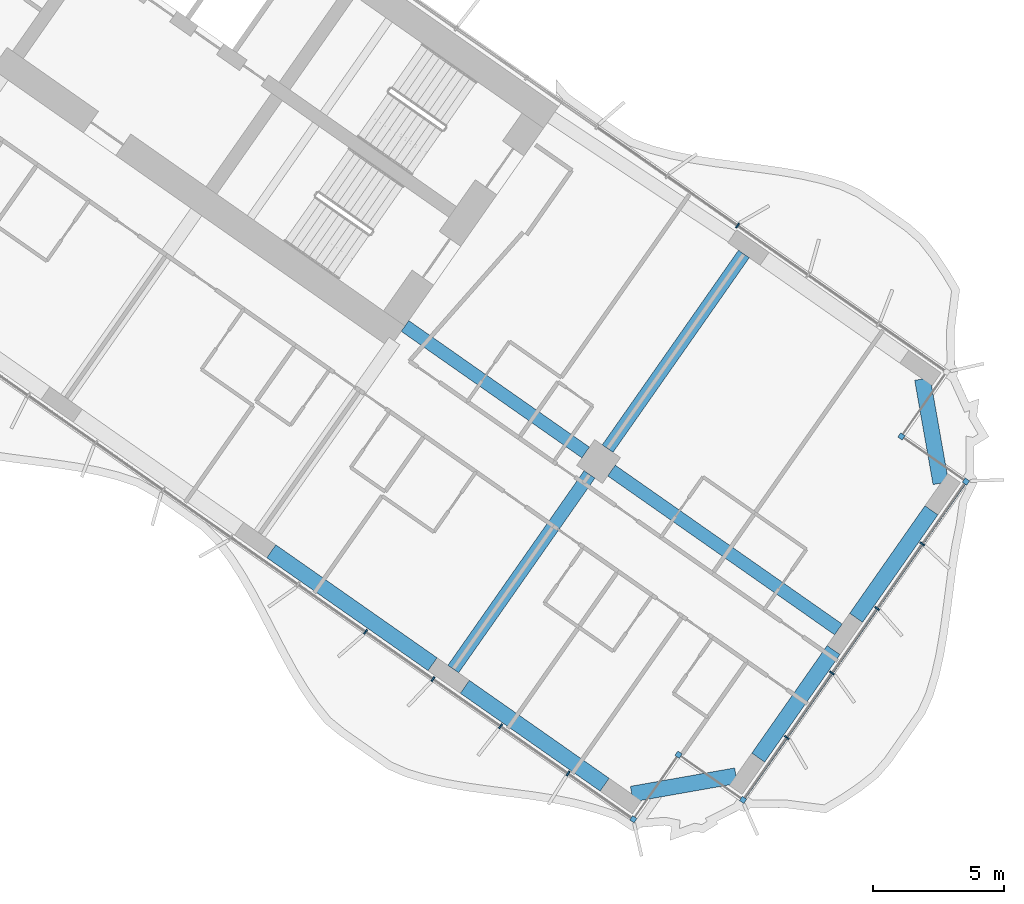
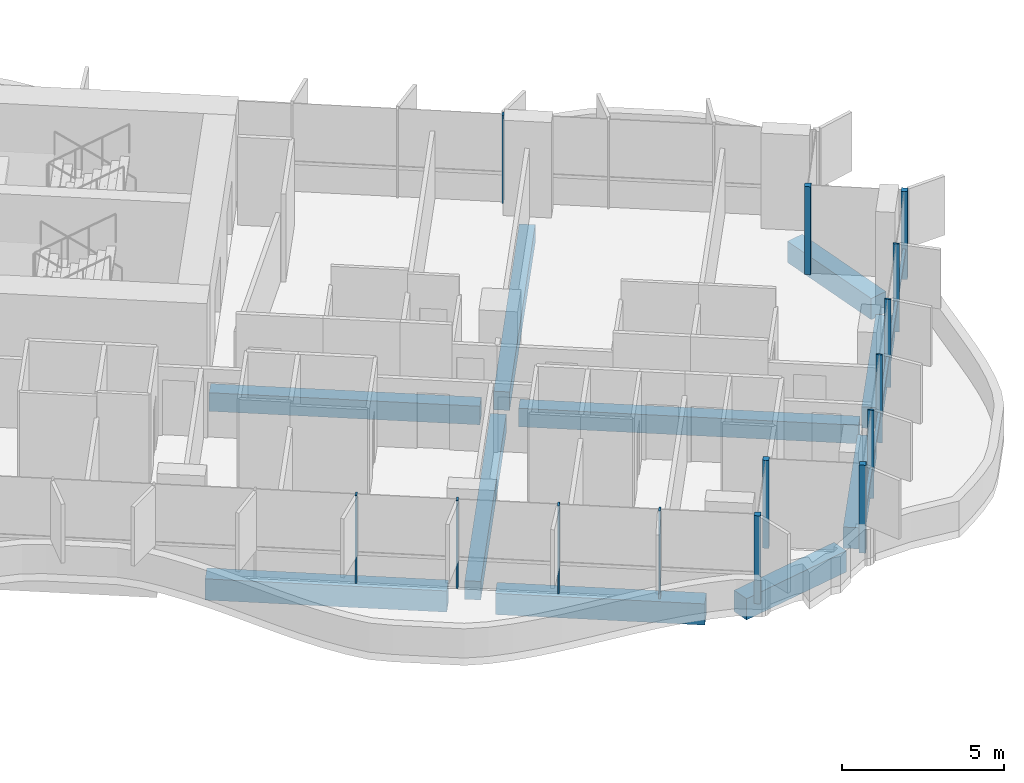
# One storey, part 9 of 25: 15 members, 10 beams, 1 element without a shape of its own.
"""IFC4 building model written with IfcOpenShell, lengths in metres."""

from ifc_helpers import new_model, si_unit, direction, frame, origin, origin_2d, place, context, subcontext, project, spatial, rectangle, extrude, material, material_profile, profile_set, type_object, element, aggregate, save


model = new_model("IFC4")

# Units and contexts
model_context = context("Model", 3, precision=1e-05, world=origin(), true_north=direction((0.0, 1.0)))
body_context = subcontext(model_context, "Body", "Model", "MODEL_VIEW")
ifc_project = project(units=[si_unit("LENGTHUNIT", "METRE"), si_unit("AREAUNIT", "SQUARE_METRE"), si_unit("VOLUMEUNIT", "CUBIC_METRE"), si_unit("PLANEANGLEUNIT", "RADIAN"), si_unit("MASSUNIT", "GRAM", prefix="KILO")], contexts=[model_context])

# Site, building, storey
site_placement = place(None, origin())
site = spatial("IfcSite", under=ifc_project, at=site_placement, CompositionType="ELEMENT")
building_placement = place(site_placement, origin())
building = spatial("IfcBuilding", under=site, at=building_placement, Name="Tel Ilan Convention Tower", CompositionType="ELEMENT")
storey_placement = place(building_placement, frame((0.0, 0.0, 58.10009765625)))
storey = spatial("IfcBuildingStorey", under=building, at=storey_placement, Name="L09", CompositionType="ELEMENT", Elevation=58.10009765625)

# Beams
ifc_material_1 = material(Name="Concrete C40/50", Category="concrete")
ifc_material_profile_1 = material_profile(ifc_material_1, rectangle(XDim=0.5, YDim=0.699951171875, at=origin_2d()), Name="RC 500x700")
ifc_profile_set_1 = profile_set([ifc_material_profile_1], Name="Concrete C40/50")
beam_type_1 = type_object("IfcBeamType", Name="Beam RC 500x700 Concrete C40/50", PredefinedType="BEAM", material=ifc_profile_set_1)
beam_1_placement = place(storey_placement, frame((22.1171875, -15.486572265625, -0.630126953125), z_axis=(0.819147254605, -0.573583276668, 0.0), x_axis=(0.573583276668, 0.819147254605, 0.0)))
element("IfcBeam", 1, at=beam_1_placement, inside=storey, type_object=beam_type_1, Name="L09 beam E-core-E-M4", PredefinedType="BEAM", context=body_context, shape_type="SweptSolid", body=[
    extrude(rectangle(XDim=0.5, YDim=0.699951171875, at=origin_2d()), origin(), (0.0, 0.0, 1.0), 8.400146484375),
])
beam_2_placement = place(storey_placement, frame((29.98095703125, -20.992919921875, -0.630126953125), z_axis=(0.819151461915, -0.573577268067, 0.0), x_axis=(0.573577268067, 0.819151461915, 0.0)))
element("IfcBeam", 2, at=beam_2_placement, inside=storey, type_object=beam_type_1, Name="L09 beam E-E-M4-end", PredefinedType="BEAM", context=body_context, shape_type="SweptSolid", body=[
    extrude(rectangle(XDim=0.5, YDim=0.699951171875, at=origin_2d()), origin(), (0.0, 0.0, 1.0), 10.550048828125),
])
for number, where, z_axis, x_axis, name in (
    (3, (29.145263671875, -21.14013671875, -0.630126953125), (-0.573549245583, -0.819171082798, 0.0), (0.819171082798, -0.573549245583, 0.0), "L09 beam E-E-M4-E-F4"),
    (4, (29.83349609375, -20.1572265625, -0.630126953125), (0.57358002233, 0.819149533348, 0.0), (-0.819149533348, 0.57358002233, 0.0), "L09 beam E-E-M4-E-B4"),
):
    element("IfcBeam", number, at=place(storey_placement, frame(where, z_axis=z_axis, x_axis=x_axis)), inside=storey, type_object=beam_type_1, Name=name, PredefinedType="BEAM", context=body_context, shape_type="SweptSolid", body=[
        extrude(rectangle(XDim=0.5, YDim=0.699951171875, at=origin_2d()), origin(), (0.0, 0.0, 1.0), 9.050048828125),
    ])
ifc_material_2 = material(Name="Concrete C40/50", Category="concrete")
ifc_material_profile_2 = material_profile(ifc_material_2, rectangle(XDim=0.60009765625, YDim=0.800048828125, at=origin_2d()), Name="RC 600x800")
ifc_profile_set_2 = profile_set([ifc_material_profile_2], Name="Concrete C40/50")
beam_type_2 = type_object("IfcBeamType", Name="Beam RC 600x800 Concrete C40/50", PredefinedType="BEAM", material=ifc_profile_set_2)
beam_3_placement = place(storey_placement, frame((17.0244140625, -24.0673828125, -0.68017578125), z_axis=(0.81915238829, -0.573575945067, 0.0), x_axis=(0.573575945067, 0.81915238829, 0.0)))
element("IfcBeam", 5, at=beam_3_placement, inside=storey, type_object=beam_type_2, Name="L09 beam E-E-F3-E-F4", PredefinedType="BEAM", context=body_context, shape_type="SweptSolid", body=[
    extrude(rectangle(XDim=0.60009765625, YDim=0.800048828125, at=origin_2d()), origin(), (0.0, 0.0, 1.0), 7.5),
])
beam_4_placement = place(storey_placement, frame((24.396728515625, -29.2294921875, -0.68017578125), z_axis=(0.819148977158, -0.573580816643, 0.0), x_axis=(0.573580816643, 0.819148977158, 0.0)))
element("IfcBeam", 6, at=beam_4_placement, inside=storey, type_object=beam_type_2, Name="L09 beam E-E-F4-E-FC", PredefinedType="BEAM", context=body_context, shape_type="SweptSolid", body=[
    extrude(rectangle(XDim=0.60009765625, YDim=0.800048828125, at=origin_2d()), origin(), (0.0, 0.0, 1.0), 6.5),
])
beam_5_placement = place(storey_placement, frame((30.75341796875, -33.314208984375, -0.68017578125), z_axis=(0.984815252405, 0.173605641124, 0.0), x_axis=(-0.173605641124, 0.984815252405, 0.0)))
element("IfcBeam", 7, at=beam_5_placement, inside=storey, type_object=beam_type_2, Name="L09 beam E-E-FC-E-E1", PredefinedType="BEAM", context=body_context, shape_type="SweptSolid", body=[
    extrude(rectangle(XDim=0.60009765625, YDim=0.800048828125, at=origin_2d()), origin(), (0.0, 0.0, 1.0), 4.030517578125),
])
for number, where, z_axis, x_axis, name in (
    (8, (35.57080078125, -31.92626953125, -0.68017578125), (0.573586866468, 0.819144740944, 0.0), (-0.819144740944, 0.573586866468, 0.0), "L09 beam E-E-E1-E-E2"),
    (9, (39.298828125, -26.601806640625, -0.68017578125), (0.573586866468, 0.819144740944, 0.0), (-0.819144740944, 0.573586866468, 0.0), "L09 beam E-E-E2-E-E3"),
):
    element("IfcBeam", number, at=place(storey_placement, frame(where, z_axis=z_axis, x_axis=x_axis)), inside=storey, type_object=beam_type_2, Name=name, PredefinedType="BEAM", context=body_context, shape_type="SweptSolid", body=[
        extrude(rectangle(XDim=0.60009765625, YDim=0.800048828125, at=origin_2d()), origin(), (0.0, 0.0, 1.0), 5.0),
    ])
beam_6_placement = place(storey_placement, frame((42.523193359375, -21.473876953125, -0.68017578125), z_axis=(-0.173605641124, 0.984815252405, 0.0), x_axis=(-0.984815252405, -0.173605641124, 0.0)))
element("IfcBeam", 10, at=beam_6_placement, inside=storey, type_object=beam_type_2, Name="L09 beam E-E-E3-E-BC", PredefinedType="BEAM", context=body_context, shape_type="SweptSolid", body=[
    extrude(rectangle(XDim=0.60009765625, YDim=0.800048828125, at=origin_2d()), origin(), (0.0, 0.0, 1.0), 4.030517578125),
])

# Curtain wall, members
ifc_material_3 = material(Name="Aluminium, bronze anodised", Category="aluminium")
curtain_wall_type = type_object("IfcCurtainWallType", Name="CW1 UNITISED CURTAIN WALL, HOTEL TINTED GLASS", PredefinedType="NOTDEFINED", material=ifc_material_3)
curtain_wall_placement = place(storey_placement, origin())
curtain_wall = element("IfcCurtainWall", 11, at=curtain_wall_placement, inside=storey, type_object=curtain_wall_type, Name="Curtain wall CW1-11.02", PredefinedType="NOTDEFINED")
ifc_material_4 = material(Name="Aluminium, bronze anodised", Category="aluminium")
ifc_material_profile_3 = material_profile(ifc_material_4, rectangle(XDim=0.199951171875, YDim=0.199951171875, at=origin_2d()), Name="CW CORNER MULLION 200x200")
ifc_profile_set_3 = profile_set([ifc_material_profile_3], Name="Aluminium, bronze anodised")
member_type_1 = type_object("IfcMemberType", Name="CW CORNER MULLION 200x200", PredefinedType="MULLION", material=ifc_profile_set_3)
member_1_placement = place(storey_placement, frame((30.814697265625, -34.272705078125, 0.0), z_axis=(0.0, 0.0, 1.0), x_axis=(0.819152044289, -0.573576436351, 0.0)))
member_1 = element("IfcMember", 12, at=member_1_placement, type_object=member_type_1, Name="Corner mullion", PredefinedType="MULLION", context=body_context, shape_type="SweptSolid", body=[
    extrude(rectangle(XDim=0.199951171875, YDim=0.199951171875, at=origin_2d()), origin(), (0.0, 0.0, 1.0), 3.31982421875),
])
member_2_placement = place(storey_placement, frame((32.535400390625, -31.815185546875, 0.0), z_axis=(0.0, 0.0, 1.0), x_axis=(0.573576436351, 0.819152044289, 0.0)))
member_2 = element("IfcMember", 13, at=member_2_placement, type_object=member_type_1, Name="Corner mullion", PredefinedType="MULLION", context=body_context, shape_type="SweptSolid", body=[
    extrude(rectangle(XDim=0.199951171875, YDim=0.199951171875, at=origin_2d()), origin(), (0.0, 0.0, 1.0), 3.31982421875),
])
member_3_placement = place(storey_placement, frame((34.992919921875, -33.5361328125, 0.0), z_axis=(0.0, 0.0, 1.0), x_axis=(0.819152044289, -0.573576436351, 0.0)))
member_3 = element("IfcMember", 14, at=member_3_placement, type_object=member_type_1, Name="Corner mullion", PredefinedType="MULLION", context=body_context, shape_type="SweptSolid", body=[
    extrude(rectangle(XDim=0.199951171875, YDim=0.199951171875, at=origin_2d()), origin(), (0.0, 0.0, 1.0), 3.31982421875),
])
member_4_placement = place(storey_placement, frame((43.48193359375, -21.41259765625, 0.0), z_axis=(0.0, 0.0, 1.0), x_axis=(0.573576436351, 0.819152044289, 0.0)))
member_4 = element("IfcMember", 15, at=member_4_placement, type_object=member_type_1, Name="Corner mullion", PredefinedType="MULLION", context=body_context, shape_type="SweptSolid", body=[
    extrude(rectangle(XDim=0.199951171875, YDim=0.199951171875, at=origin_2d()), origin(), (0.0, 0.0, 1.0), 3.31982421875),
])
member_5_placement = place(storey_placement, frame((41.0244140625, -19.69189453125, 0.0), z_axis=(0.0, 0.0, 1.0), x_axis=(-0.819152044289, 0.573576436351, 0.0)))
member_5 = element("IfcMember", 16, at=member_5_placement, type_object=member_type_1, Name="Corner mullion", PredefinedType="MULLION", context=body_context, shape_type="SweptSolid", body=[
    extrude(rectangle(XDim=0.199951171875, YDim=0.199951171875, at=origin_2d()), origin(), (0.0, 0.0, 1.0), 3.31982421875),
])
ifc_material_5 = material(Name="Aluminium, bronze anodised", Category="aluminium")
ifc_material_profile_4 = material_profile(ifc_material_5, rectangle(XDim=0.06005859375, YDim=0.199951171875, at=origin_2d()), Name="CW MULLION 60x200")
ifc_profile_set_4 = profile_set([ifc_material_profile_4], Name="Aluminium, bronze anodised")
member_type_2 = type_object("IfcMemberType", Name="CW MULLION 60x200", PredefinedType="MULLION", material=ifc_profile_set_4)
member_6_placement = place(storey_placement, frame((20.616943359375, -27.132080078125, 0.0), z_axis=(0.0, 0.0, 1.0), x_axis=(0.819152044289, -0.573576436351, 0.0)))
member_6 = element("IfcMember", 17, at=member_6_placement, type_object=member_type_2, Name="Mullion", PredefinedType="MULLION", context=body_context, shape_type="SweptSolid", body=[
    extrude(rectangle(XDim=0.06005859375, YDim=0.199951171875, at=origin_2d()), origin(), (0.0, 0.0, 1.0), 3.31982421875),
])
member_7_placement = place(storey_placement, frame((23.186767578125, -28.931640625, 0.0), z_axis=(0.0, 0.0, 1.0), x_axis=(0.819152044289, -0.573576436351, 0.0)))
member_7 = element("IfcMember", 18, at=member_7_placement, type_object=member_type_2, Name="Mullion", PredefinedType="MULLION", context=body_context, shape_type="SweptSolid", body=[
    extrude(rectangle(XDim=0.06005859375, YDim=0.199951171875, at=origin_2d()), origin(), (0.0, 0.0, 1.0), 3.31982421875),
])
member_8_placement = place(storey_placement, frame((25.7568359375, -30.731201171875, 0.0), z_axis=(0.0, 0.0, 1.0), x_axis=(0.819152044289, -0.573576436351, 0.0)))
member_8 = element("IfcMember", 19, at=member_8_placement, type_object=member_type_2, Name="Mullion", PredefinedType="MULLION", context=body_context, shape_type="SweptSolid", body=[
    extrude(rectangle(XDim=0.06005859375, YDim=0.199951171875, at=origin_2d()), origin(), (0.0, 0.0, 1.0), 3.31982421875),
])
member_9_placement = place(storey_placement, frame((28.32666015625, -32.530517578125, 0.0), z_axis=(0.0, 0.0, 1.0), x_axis=(0.819152044289, -0.573576436351, 0.0)))
member_9 = element("IfcMember", 20, at=member_9_placement, type_object=member_type_2, Name="Mullion", PredefinedType="MULLION", context=body_context, shape_type="SweptSolid", body=[
    extrude(rectangle(XDim=0.06005859375, YDim=0.199951171875, at=origin_2d()), origin(), (0.0, 0.0, 1.0), 3.31982421875),
])
member_10_placement = place(storey_placement, frame((36.65625, -31.160400390625, 0.0), z_axis=(0.0, 0.0, 1.0), x_axis=(0.573576436351, 0.819152044289, 0.0)))
member_10 = element("IfcMember", 21, at=member_10_placement, type_object=member_type_2, Name="Mullion", PredefinedType="MULLION", context=body_context, shape_type="SweptSolid", body=[
    extrude(rectangle(XDim=0.06005859375, YDim=0.199951171875, at=origin_2d()), origin(), (0.0, 0.0, 1.0), 3.31982421875),
])
member_11_placement = place(storey_placement, frame((38.376953125, -28.703125, 0.0), z_axis=(0.0, 0.0, 1.0), x_axis=(0.573576436351, 0.819152044289, 0.0)))
member_11 = element("IfcMember", 22, at=member_11_placement, type_object=member_type_2, Name="Mullion", PredefinedType="MULLION", context=body_context, shape_type="SweptSolid", body=[
    extrude(rectangle(XDim=0.06005859375, YDim=0.199951171875, at=origin_2d()), origin(), (0.0, 0.0, 1.0), 3.31982421875),
])
member_12_placement = place(storey_placement, frame((40.09765625, -26.24560546875, 0.0), z_axis=(0.0, 0.0, 1.0), x_axis=(0.573576436351, 0.819152044289, 0.0)))
member_12 = element("IfcMember", 23, at=member_12_placement, type_object=member_type_2, Name="Mullion", PredefinedType="MULLION", context=body_context, shape_type="SweptSolid", body=[
    extrude(rectangle(XDim=0.06005859375, YDim=0.199951171875, at=origin_2d()), origin(), (0.0, 0.0, 1.0), 3.31982421875),
])
member_13_placement = place(storey_placement, frame((41.818359375, -23.7880859375, 0.0), z_axis=(0.0, 0.0, 1.0), x_axis=(0.573576436351, 0.819152044289, 0.0)))
member_13 = element("IfcMember", 24, at=member_13_placement, type_object=member_type_2, Name="Mullion", PredefinedType="MULLION", context=body_context, shape_type="SweptSolid", body=[
    extrude(rectangle(XDim=0.06005859375, YDim=0.199951171875, at=origin_2d()), origin(), (0.0, 0.0, 1.0), 3.31982421875),
])
member_14_placement = place(storey_placement, frame((34.7861328125, -11.66162109375, 0.0), z_axis=(0.0, 0.0, 1.0), x_axis=(-0.819152044289, 0.573576436351, 0.0)))
member_14 = element("IfcMember", 25, at=member_14_placement, type_object=member_type_2, Name="Mullion", PredefinedType="MULLION", context=body_context, shape_type="SweptSolid", body=[
    extrude(rectangle(XDim=0.06005859375, YDim=0.199951171875, at=origin_2d()), origin(), (0.0, 0.0, 1.0), 3.31982421875),
])
ifc_material_6 = material(Name="Aluminium, bronze anodised", Category="aluminium")
ifc_material_profile_5 = material_profile(ifc_material_6, rectangle(XDim=0.10009765625, YDim=0.1201171875, at=origin_2d()), Name="CW TRANSOM 100x120")
ifc_profile_set_5 = profile_set([ifc_material_profile_5], Name="Aluminium, bronze anodised")
member_type_3 = type_object("IfcMemberType", Name="CW TRANSOM 100x120", PredefinedType="USERDEFINED", material=ifc_profile_set_5)
member_15_placement = place(storey_placement, frame((35.05029296875, -33.4541015625, 1.099853515625), z_axis=(0.573575688231, 0.819152568128, 0.0), x_axis=(-0.819152568128, 0.573575688231, 0.0)))
member_15 = element("IfcMember", 26, at=member_15_placement, type_object=member_type_3, Name="Transom", ObjectType="TRANSOM", PredefinedType="USERDEFINED", context=body_context, shape_type="SweptSolid", body=[
    extrude(rectangle(XDim=0.10009765625, YDim=0.1201171875, at=origin_2d()), origin(), (0.0, 0.0, 1.0), 14.60009765625),
])
aggregate(curtain_wall, [member_6, member_7, member_8, member_9, member_1, member_2, member_3, member_10, member_11, member_12, member_13, member_4, member_15, member_5, member_14])

save(model, "model.ifc")
